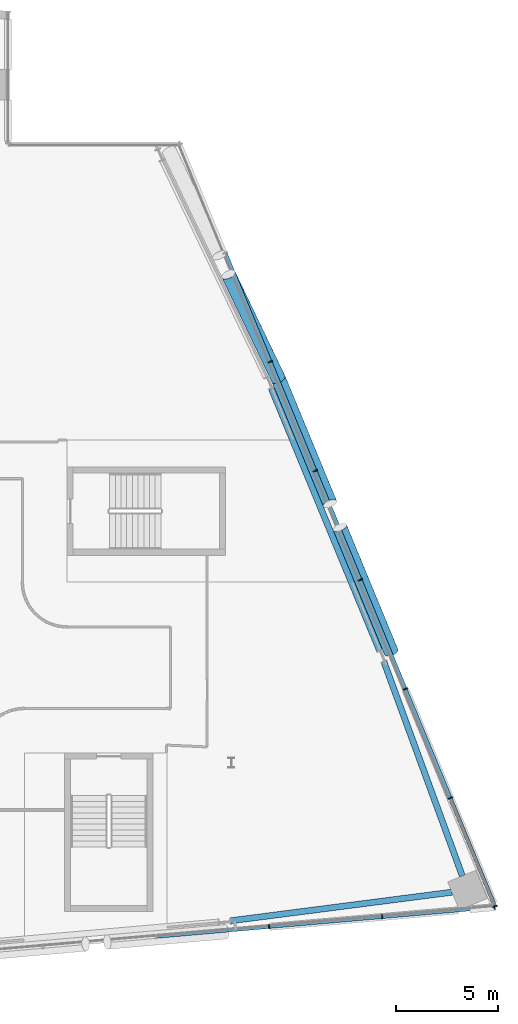
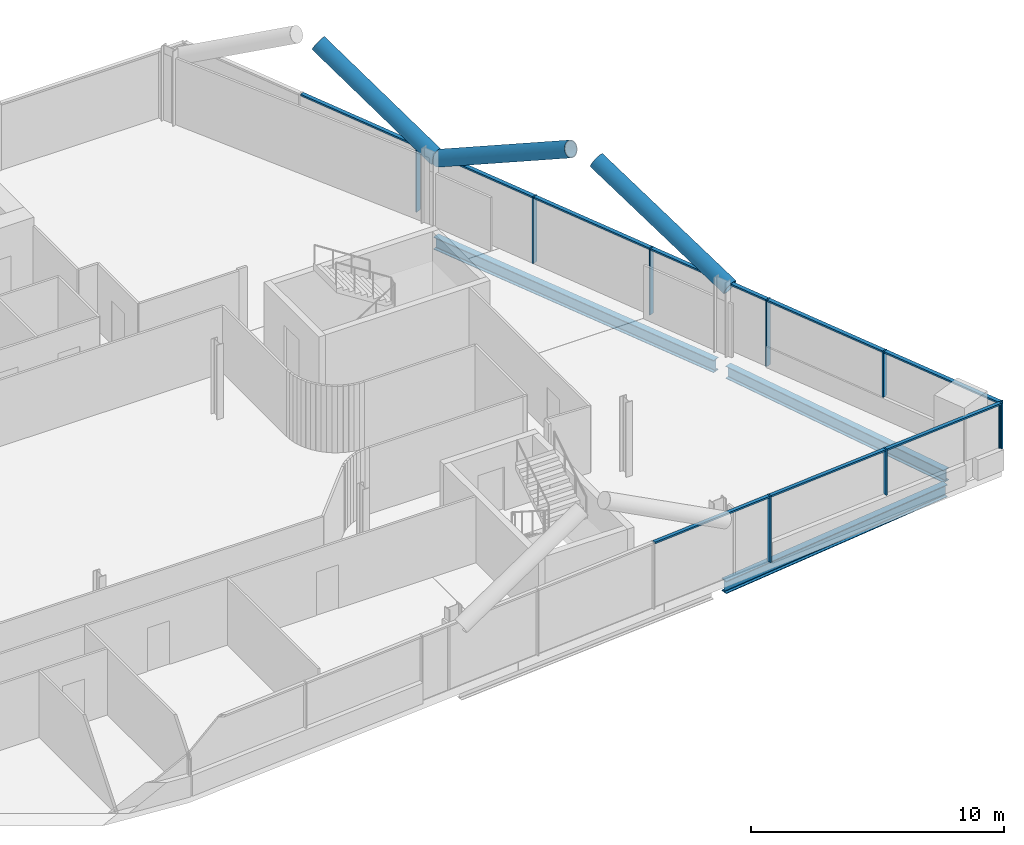
# One storey, part 11 of 29: 21 members, 3 beams, 2 elements without a shape of their own.
"""IFC4 building model written with IfcOpenShell, lengths in metres."""

import ifcopenshell
import ifcopenshell.guid

model = None  # the IFC model being written
_history = None  # IfcOwnerHistory: only IFC2X3 demands one
_inside = {}  # id of a spatial element -> (the spatial element, [elements in it])
_under = {}  # id of a project, library or spatial element -> (it, [spatial elements below it])
_declared = {}  # id of a project -> (the project, [libraries it declares])
_typed = {}  # id of a type object -> (the type object, [elements of that type])
_made_of = {}  # id of a material, layer set ... -> (it, [elements and type objects made of it])


def new_model(schema):
    """Start an empty IFC model of exactly this schema.

    Asked for "IFC4X3", IfcOpenShell would pick the latest addendum, in which some entities
    have other attributes; the version numbers below select the first issue.
    IFC2X3 requires an IfcOwnerHistory on every rooted entity: one is made here for all.
    """
    global model, _history
    if schema == "IFC4X3":
        model = ifcopenshell.file(schema_version=(4, 3, 0, 0))
    else:
        model = ifcopenshell.file(schema=schema)
    _inside.clear()
    _under.clear()
    _declared.clear()
    _typed.clear()
    _made_of.clear()
    _history = None
    if model.schema == "IFC2X3":
        org = make("IfcOrganization", Name="unknown")
        user = make(
            "IfcPersonAndOrganization",
            ThePerson=make("IfcPerson", FamilyName="unknown"),
            TheOrganization=org,
        )
        app = make(
            "IfcApplication",
            ApplicationDeveloper=org,
            Version="unknown",
            ApplicationFullName="unknown",
            ApplicationIdentifier="unknown",
        )
        _history = make(
            "IfcOwnerHistory",
            OwningUser=user,
            OwningApplication=app,
            ChangeAction="ADDED",
            CreationDate=0,
        )
    return model


def make(cls, **values):
    """One entity of the class cls with the attributes given. An attribute that is None is left unset."""
    return model.create_entity(
        cls, **{name: value for name, value in values.items() if value is not None}
    )


def rooted(cls, **values):
    """An entity with a GlobalId (a new one), such as an element, a storey or a relation."""
    return make(cls, GlobalId=ifcopenshell.guid.new(), OwnerHistory=_history, **values)


def si_unit(unit_type, name, prefix=None):
    """IfcSIUnit, for example si_unit("LENGTHUNIT", "METRE", prefix="MILLI")."""
    return make("IfcSIUnit", UnitType=unit_type, Prefix=prefix, Name=name)


def assignment(units):
    """IfcUnitAssignment: the units of a project."""
    return None if units is None else make("IfcUnitAssignment", Units=units)


def point(xyz):
    """IfcCartesianPoint."""
    return None if xyz is None else make("IfcCartesianPoint", Coordinates=xyz)


def direction(xyz):
    """IfcDirection."""
    return None if xyz is None else make("IfcDirection", DirectionRatios=xyz)


def frame(location, z_axis=None, x_axis=None):
    """IfcAxis2Placement3D, a coordinate frame: its origin and axes. An axis left out is left unset."""
    return make(
        "IfcAxis2Placement3D",
        Location=point(location),
        Axis=direction(z_axis),
        RefDirection=direction(x_axis),
    )


def frame_2d(location, x_axis=None):
    """IfcAxis2Placement2D, a coordinate frame in the plane: its origin and x axis."""
    return make(
        "IfcAxis2Placement2D", Location=point(location), RefDirection=direction(x_axis)
    )


def origin():
    """The frame at (0, 0, 0) with its axes left unset."""
    return frame((0.0, 0.0, 0.0))


def origin_2d():
    """The frame at (0, 0) in the plane with its x axis left unset."""
    return frame_2d((0.0, 0.0))


def place(relative_to, where):
    """IfcLocalPlacement: puts the frame where relative to a parent placement (None: the world)."""
    return make(
        "IfcLocalPlacement", PlacementRelTo=relative_to, RelativePlacement=where
    )


def context(
    kind, dimensions, precision=None, world=None, true_north=None, identifier=None
):
    """IfcGeometricRepresentationContext, for example the 3D "Model" context."""
    return make(
        "IfcGeometricRepresentationContext",
        ContextIdentifier=identifier,
        ContextType=kind,
        CoordinateSpaceDimension=dimensions,
        Precision=precision,
        WorldCoordinateSystem=world,
        TrueNorth=true_north,
    )


def subcontext(parent, identifier, kind, view, scale=None):
    """IfcGeometricRepresentationSubContext, for example "Body" below "Model"."""
    return make(
        "IfcGeometricRepresentationSubContext",
        ContextIdentifier=identifier,
        ContextType=kind,
        ParentContext=parent,
        TargetScale=scale,
        TargetView=view,
    )


def project(units=None, contexts=None):
    """IfcProject with its units and contexts."""
    return rooted(
        "IfcProject",
        Name="project",
        RepresentationContexts=contexts,
        UnitsInContext=assignment(units),
    )


def spatial(cls, under=None, at=None, **own):
    """A site, building, storey or space (cls), placed at a placement, below another one or the project."""
    s = rooted(cls, ObjectPlacement=at, **own)
    if under is not None:
        _under.setdefault(under.id(), (under, []))[1].append(s)
    return s


def profile(cls, at=None, kind="AREA", **sizes):
    """A parametric profile (cls). Its sizes go by their IFC names, for example OverallWidth=200.0."""
    return make(cls, ProfileType=kind, Position=at, **sizes)


def rectangle(**sizes):
    """IfcRectangleProfileDef."""
    return profile("IfcRectangleProfileDef", **sizes)


def hollow_circle(**sizes):
    """IfcCircleHollowProfileDef."""
    return profile("IfcCircleHollowProfileDef", **sizes)


def i_section(**sizes):
    """IfcIShapeProfileDef."""
    return profile("IfcIShapeProfileDef", **sizes)


def extrude(swept, where, along, depth):
    """IfcExtrudedAreaSolid: the profile swept, set in the frame where, extruded along a direction by depth."""
    return make(
        "IfcExtrudedAreaSolid",
        SweptArea=swept,
        Position=where,
        ExtrudedDirection=direction(along),
        Depth=depth,
    )


def shape(context_of_items, identifier, shape_type, items):
    """IfcShapeRepresentation: the items that make up one representation, for example the "Body"."""
    return make(
        "IfcShapeRepresentation",
        ContextOfItems=context_of_items,
        RepresentationIdentifier=identifier,
        RepresentationType=shape_type,
        Items=items,
    )


def material(Name=None, Category=None):
    """IfcMaterial."""
    return make("IfcMaterial", Name=Name, Category=Category)


def material_profile(
    of_material, cross_section, Name=None, Category=None, Priority=None
):
    """IfcMaterialProfile: a cross section and its material."""
    return make(
        "IfcMaterialProfile",
        Name=Name,
        Material=of_material,
        Profile=cross_section,
        Priority=Priority,
        Category=Category,
    )


def profile_set(profiles, Name=None, composite=None):
    """IfcMaterialProfileSet."""
    return make(
        "IfcMaterialProfileSet",
        Name=Name,
        MaterialProfiles=profiles,
        CompositeProfile=composite,
    )


def made_of(thing, what):
    """Note that an element or type object is made of a material, layer set ...; save() writes the relation."""
    if what is not None:
        _made_of.setdefault(what.id(), (what, []))[1].append(thing)
    return thing


def type_object(cls, material=None, **own):
    """A type object (cls), such as IfcWallType, which elements share."""
    return made_of(rooted(cls, **own), material)


def element(
    cls,
    number,
    at=None,
    inside=None,
    cuts=None,
    type_object=None,
    material=None,
    context=None,
    identifier="Body",
    shape_type=None,
    held_by="IfcProductDefinitionShape",
    body=None,
    shapes=None,
    **own,
):
    """One element of the class cls, such as IfcWall. Its Tag is "e" and its number.

    at: its placement. inside: the storey or other place that contains it. cuts: it is an
    opening in that element (IfcRelVoidsElement). A single representation is given by context,
    identifier, shape_type and body (its items); several are given by shapes. held_by: the class
    of the entity that holds the representations. save() writes the other relations.
    """
    e = rooted(cls, Tag="e%d" % number, ObjectPlacement=at, **own)
    if body is not None:
        shapes = [shape(context, identifier, shape_type, body)]
    if shapes is not None:
        e.Representation = make(held_by, Representations=shapes)
    if inside is not None:
        _inside.setdefault(inside.id(), (inside, []))[1].append(e)
    if cuts is not None:
        rooted(
            "IfcRelVoidsElement", RelatingBuildingElement=cuts, RelatedOpeningElement=e
        )
    if type_object is not None:
        _typed.setdefault(type_object.id(), (type_object, []))[1].append(e)
    return made_of(e, material)


def aggregate(whole, parts):
    """IfcRelAggregates: a whole, such as a stair, and the parts it consists of."""
    return rooted("IfcRelAggregates", RelatingObject=whole, RelatedObjects=parts)


def save(model, path):
    """Write the relations noted so far, then the file.

    IfcRelAggregates (storeys below a building ...), IfcRelContainedInSpatialStructure (elements
    in a storey), IfcRelDefinesByType, IfcRelAssociatesMaterial and IfcRelDeclares: one each for
    every whole, place, type object, material and project.
    """
    for whole, parts in _under.values():
        aggregate(whole, parts)
    for where, things in _inside.values():
        rooted(
            "IfcRelContainedInSpatialStructure",
            RelatedElements=things,
            RelatingStructure=where,
        )
    for kind, things in _typed.values():
        rooted("IfcRelDefinesByType", RelatedObjects=things, RelatingType=kind)
    for what, things in _made_of.values():
        rooted("IfcRelAssociatesMaterial", RelatedObjects=things, RelatingMaterial=what)
    for by, libraries in _declared.values():
        rooted("IfcRelDeclares", RelatingContext=by, RelatedDefinitions=libraries)
    model.write(path)


model = new_model("IFC4")

# Units and contexts
model_context = context("Model", 3, precision=1e-05, world=origin(), true_north=direction((0.0, 1.0)))
body_context = subcontext(model_context, "Body", "Model", "MODEL_VIEW")
ifc_project = project(units=[si_unit("LENGTHUNIT", "METRE"), si_unit("AREAUNIT", "SQUARE_METRE"), si_unit("VOLUMEUNIT", "CUBIC_METRE"), si_unit("PLANEANGLEUNIT", "RADIAN"), si_unit("MASSUNIT", "GRAM", prefix="KILO")], contexts=[model_context])

# Site, building, storey
site_placement = place(None, origin())
site = spatial("IfcSite", under=ifc_project, at=site_placement, CompositionType="ELEMENT")
building_placement = place(site_placement, origin())
building = spatial("IfcBuilding", under=site, at=building_placement, Name="Wharfspan Tower", CompositionType="ELEMENT")
storey_placement = place(building_placement, frame((0.0, 0.0, 162.699951)))
storey = spatial("IfcBuildingStorey", under=building, at=storey_placement, Name="L39", CompositionType="ELEMENT", Elevation=162.699951)

# Beams
ifc_material_1 = material(Name="Steel S355J2", Category="steel")
ifc_material_profile_1 = material_profile(ifc_material_1, i_section(OverallWidth=0.300049, OverallDepth=0.600098, WebThickness=0.015381, FlangeThickness=0.030029, FilletRadius=0.0271, at=origin_2d()))
ifc_profile_set_1 = profile_set([ifc_material_profile_1], Name="Steel S355J2")
beam_type = type_object("IfcBeamType", Name="Edge beam HEB 600", PredefinedType="SPANDREL", material=ifc_profile_set_1)
beam_1_placement = place(storey_placement, frame((71.965576, 3.724121, -0.699951), z_axis=(0.991764, 0.128077, 0.0), x_axis=(-0.128077, 0.991764, 0.0)))
element("IfcBeam", 1, at=beam_1_placement, inside=storey, type_object=beam_type, Name="Edge beam S2 L39 PS2.2 to MC4", PredefinedType="SPANDREL", context=body_context, shape_type="SweptSolid", body=[
    extrude(i_section(OverallWidth=0.300049, OverallDepth=0.600098, WebThickness=0.015381, FlangeThickness=0.030029, FilletRadius=0.0271, at=origin_2d()), origin(), (0.0, 0.0, 1.0), 10.991211),
])
beam_2_placement = place(storey_placement, frame((83.375732, 5.931885, -0.699951), z_axis=(-0.343871, 0.939017, 0.0), x_axis=(-0.939017, -0.343871, 0.0)))
element("IfcBeam", 2, at=beam_2_placement, inside=storey, type_object=beam_type, Name="Edge beam E L39 MC4 to PE.1", PredefinedType="SPANDREL", context=body_context, shape_type="SweptSolid", body=[
    extrude(i_section(OverallWidth=0.300049, OverallDepth=0.600098, WebThickness=0.015381, FlangeThickness=0.030029, FilletRadius=0.0271, at=origin_2d()), origin(), (0.0, 0.0, 1.0), 11.226807),
])
beam_3_placement = place(storey_placement, frame((79.292969, 17.044434, -0.699951), z_axis=(-0.381593, 0.92433, 0.0), x_axis=(-0.92433, -0.381593, 0.0)))
element("IfcBeam", 3, at=beam_3_placement, inside=storey, type_object=beam_type, Name="Edge beam E L39 PE.1 to PE.2", PredefinedType="SPANDREL", context=body_context, shape_type="SweptSolid", body=[
    extrude(i_section(OverallWidth=0.300049, OverallDepth=0.600098, WebThickness=0.015381, FlangeThickness=0.030029, FilletRadius=0.0271, at=origin_2d()), origin(), (0.0, 0.0, 1.0), 13.94751),
])

# Curtain wall, members
ifc_material_2 = material(Name="Aluminium 6063-T6", Category="aluminium")
curtain_wall_type_1 = type_object("IfcCurtainWallType", Name="CURTAIN WALL FACETED FRONT", PredefinedType="NOTDEFINED", material=ifc_material_2)
curtain_wall_1_placement = place(storey_placement, origin())
curtain_wall_1 = element("IfcCurtainWall", 4, at=curtain_wall_1_placement, inside=storey, type_object=curtain_wall_type_1, Name="Curtain wall S2", PredefinedType="NOTDEFINED")
ifc_material_profile_2 = material_profile(ifc_material_2, rectangle(XDim=0.199951, YDim=0.060059, at=origin_2d()))
ifc_profile_set_2 = profile_set([ifc_material_profile_2], Name="Aluminium 6063-T6")
member_type_1 = type_object("IfcMemberType", Name="MULLION FACETED FRONT 60x200", PredefinedType="MULLION", material=ifc_profile_set_2)
member_1_placement = place(storey_placement, frame((73.857178, 3.425049, 0.0), z_axis=(0.0, 0.0, 1.0), x_axis=(-0.087156, 0.996198, 0.0)))
member_1 = element("IfcMember", 5, at=member_1_placement, type_object=member_type_1, Name="Curtain wall S2 mullion 6", PredefinedType="MULLION", context=body_context, shape_type="SweptSolid", body=[
    extrude(rectangle(XDim=0.199951, YDim=0.060059, at=origin_2d()), origin(), (0.0, 0.0, 1.0), 3.199951),
])
member_2_placement = place(storey_placement, frame((79.428467, 3.912598, 1.0), z_axis=(0.0, 0.0, 1.0), x_axis=(-0.087156, 0.996198, 0.0)))
member_2 = element("IfcMember", 6, at=member_2_placement, type_object=member_type_1, Name="Curtain wall S2 mullion 7", PredefinedType="MULLION", context=body_context, shape_type="SweptSolid", body=[
    extrude(rectangle(XDim=0.199951, YDim=0.060059, at=origin_2d()), origin(), (0.0, 0.0, 1.0), 2.199951),
])
member_3_placement = place(storey_placement, frame((84.970215, 4.397461, 1.0), z_axis=(0.0, 0.0, 1.0), x_axis=(-0.087156, 0.996198, 0.0)))
member_3 = element("IfcMember", 7, at=member_3_placement, type_object=member_type_1, Name="Curtain wall S2 mullion 8", PredefinedType="MULLION", context=body_context, shape_type="SweptSolid", body=[
    extrude(rectangle(XDim=0.199951, YDim=0.060059, at=origin_2d()), origin(), (0.0, 0.0, 1.0), 2.199951),
])

curtain_wall_type_2 = type_object("IfcCurtainWallType", Name="CURTAIN WALL PROW AND END", PredefinedType="NOTDEFINED", material=ifc_material_2)
curtain_wall_2_placement = place(storey_placement, origin())
curtain_wall_2 = element("IfcCurtainWall", 8, at=curtain_wall_2_placement, inside=storey, type_object=curtain_wall_type_2, Name="Curtain wall E", PredefinedType="NOTDEFINED")
ifc_material_profile_3 = material_profile(ifc_material_2, rectangle(XDim=0.23999, YDim=0.060059, at=origin_2d()))
ifc_profile_set_3 = profile_set([ifc_material_profile_3], Name="Aluminium 6063-T6")
member_type_2 = type_object("IfcMemberType", Name="MULLION PROW AND END 60x240", PredefinedType="MULLION", material=ifc_profile_set_3)
member_4_placement = place(storey_placement, frame((84.988525, 4.427734, 1.0), z_axis=(0.0, 0.0, 1.0), x_axis=(-0.924325, -0.381602, 0.0)))
member_4 = element("IfcMember", 9, at=member_4_placement, type_object=member_type_2, Name="Curtain wall E mullion 1", PredefinedType="MULLION", context=body_context, shape_type="SweptSolid", body=[
    extrude(rectangle(XDim=0.23999, YDim=0.060059, at=origin_2d()), origin(), (0.0, 0.0, 1.0), 2.199951),
])
member_5_placement = place(storey_placement, frame((82.782471, 9.771484, 1.0), z_axis=(0.0, 0.0, 1.0), x_axis=(-0.924325, -0.381602, 0.0)))
member_5 = element("IfcMember", 10, at=member_5_placement, type_object=member_type_2, Name="Curtain wall E mullion 2", PredefinedType="MULLION", context=body_context, shape_type="SweptSolid", body=[
    extrude(rectangle(XDim=0.23999, YDim=0.060059, at=origin_2d()), origin(), (0.0, 0.0, 1.0), 2.199951),
])
member_6_placement = place(storey_placement, frame((80.564941, 15.142822, 0.0), z_axis=(0.0, 0.0, 1.0), x_axis=(-0.924325, -0.381602, 0.0)))
member_6 = element("IfcMember", 11, at=member_6_placement, type_object=member_type_2, Name="Curtain wall E mullion 3", PredefinedType="MULLION", context=body_context, shape_type="SweptSolid", body=[
    extrude(rectangle(XDim=0.23999, YDim=0.060059, at=origin_2d()), origin(), (0.0, 0.0, 1.0), 3.199951),
])
member_7_placement = place(storey_placement, frame((78.347412, 20.514404, 0.0), z_axis=(0.0, 0.0, 1.0), x_axis=(-0.924325, -0.381602, 0.0)))
member_7 = element("IfcMember", 12, at=member_7_placement, type_object=member_type_2, Name="Curtain wall E mullion 4", PredefinedType="MULLION", context=body_context, shape_type="SweptSolid", body=[
    extrude(rectangle(XDim=0.23999, YDim=0.060059, at=origin_2d()), origin(), (0.0, 0.0, 1.0), 3.199951),
])
member_8_placement = place(storey_placement, frame((76.129639, 25.885742, 0.0), z_axis=(0.0, 0.0, 1.0), x_axis=(-0.924325, -0.381602, 0.0)))
member_8 = element("IfcMember", 13, at=member_8_placement, type_object=member_type_2, Name="Curtain wall E mullion 5", PredefinedType="MULLION", context=body_context, shape_type="SweptSolid", body=[
    extrude(rectangle(XDim=0.23999, YDim=0.060059, at=origin_2d()), origin(), (0.0, 0.0, 1.0), 3.199951),
])
member_9_placement = place(storey_placement, frame((73.912109, 31.25708, 0.0), z_axis=(0.0, 0.0, 1.0), x_axis=(-0.924325, -0.381602, 0.0)))
member_9 = element("IfcMember", 14, at=member_9_placement, type_object=member_type_2, Name="Curtain wall E mullion 6", PredefinedType="MULLION", context=body_context, shape_type="SweptSolid", body=[
    extrude(rectangle(XDim=0.23999, YDim=0.060059, at=origin_2d()), origin(), (0.0, 0.0, 1.0), 3.199951),
])

# Members
ifc_material_3 = material(Name="Steel S460NH", Category="steel")
ifc_material_profile_4 = material_profile(ifc_material_3, hollow_circle(Radius=0.355469, WallThickness=0.035889, at=origin_2d()))
ifc_profile_set_4 = profile_set([ifc_material_profile_4], Name="Steel S460NH")
member_type_3 = type_object("IfcMemberType", Name="Mega brace CHS 711x36", PredefinedType="BRACE", material=ifc_profile_set_4)
for number, where, z_axis, x_axis, name in (
    (15, (79.876465, 16.954346, 2.900146), (-0.342045, 0.828562, 0.443271), (-0.924337, -0.381581, -3e-06), "Mega brace E5 L40 part 1"),
    (16, (74.320557, 30.411865, 2.900146), (0.342084, -0.828543, 0.443278), (0.924317, 0.381625, -3e-06), "Mega brace E5 L40 part 3"),
):
    element("IfcMember", number, at=place(storey_placement, frame(where, z_axis=z_axis, x_axis=x_axis)), inside=storey, type_object=member_type_3, Name=name, PredefinedType="BRACE", context=body_context, shape_type="SweptSolid", body=[
        extrude(hollow_circle(Radius=0.355469, WallThickness=0.035889, at=origin_2d()), origin(), (0.0, 0.0, 1.0), 7.406738),
    ])
member_10_placement = place(storey_placement, frame((74.320557, 30.411865, 2.900146), z_axis=(-0.374119, 0.780731, 0.500494), x_axis=(-0.90181, -0.432137, -3e-06)))
element("IfcMember", 17, at=member_10_placement, inside=storey, type_object=member_type_3, Name="Mega brace E6 L40 part 1", PredefinedType="BRACE", context=body_context, shape_type="SweptSolid", body=[
    extrude(hollow_circle(Radius=0.355469, WallThickness=0.035889, at=origin_2d()), origin(), (0.0, 0.0, 1.0), 6.581787),
])

# Member
ifc_material_profile_5 = material_profile(ifc_material_2, rectangle(XDim=0.159912, YDim=0.080078, at=origin_2d()))
ifc_profile_set_5 = profile_set([ifc_material_profile_5], Name="Aluminium 6063-T6")
member_type_4 = type_object("IfcMemberType", Name="TRANSOM FACETED FRONT 80x160", PredefinedType="USERDEFINED", material=ifc_profile_set_5)
member_11_placement = place(storey_placement, frame((68.315674, 2.940186, 3.160156), z_axis=(0.996191, 0.087197, 0.0), x_axis=(-0.087197, 0.996191, 0.0)))
member_11 = element("IfcMember", 18, at=member_11_placement, type_object=member_type_4, Name="Curtain wall S2 transom 5", ObjectType="TRANSOM", PredefinedType="USERDEFINED", context=body_context, shape_type="SweptSolid", body=[
    extrude(rectangle(XDim=0.159912, YDim=0.080078, at=origin_2d()), origin(), (0.0, 0.0, 1.0), 5.532471),
])

member_12_placement = place(storey_placement, frame((73.886963, 3.427734, 3.160156), z_axis=(0.996195, 0.087149, 0.0), x_axis=(-0.087149, 0.996195, 0.0)))
member_12 = element("IfcMember", 19, at=member_12_placement, type_object=member_type_4, Name="Curtain wall S2 transom 6", ObjectType="TRANSOM", PredefinedType="USERDEFINED", context=body_context, shape_type="SweptSolid", body=[
    extrude(rectangle(XDim=0.159912, YDim=0.080078, at=origin_2d()), origin(), (0.0, 0.0, 1.0), 5.532715),
])

member_13_placement = place(storey_placement, frame((79.458496, 3.915283, 3.160156), z_axis=(0.996196, 0.087139, 0.0), x_axis=(-0.087139, 0.996196, 0.0)))
member_13 = element("IfcMember", 20, at=member_13_placement, type_object=member_type_4, Name="Curtain wall S2 transom 7", ObjectType="TRANSOM", PredefinedType="USERDEFINED", context=body_context, shape_type="SweptSolid", body=[
    extrude(rectangle(XDim=0.159912, YDim=0.080078, at=origin_2d()), origin(), (0.0, 0.0, 1.0), 5.502686),
])

aggregate(curtain_wall_1, [member_1, member_2, member_3, member_11, member_12, member_13])

ifc_material_profile_6 = material_profile(ifc_material_2, rectangle(XDim=0.179932, YDim=0.080078, at=origin_2d()))
ifc_profile_set_6 = profile_set([ifc_material_profile_6], Name="Aluminium 6063-T6")
member_type_5 = type_object("IfcMemberType", Name="TRANSOM PROW AND END 80x180", PredefinedType="USERDEFINED", material=ifc_profile_set_6)
member_14_placement = place(storey_placement, frame((84.977051, 4.455566, 3.160156), z_axis=(-0.381595, 0.924329, 0.0), x_axis=(-0.924329, -0.381595, 0.0)))
member_14 = element("IfcMember", 21, at=member_14_placement, type_object=member_type_5, Name="Curtain wall E transom 1", ObjectType="TRANSOM", PredefinedType="USERDEFINED", context=body_context, shape_type="SweptSolid", body=[
    extrude(rectangle(XDim=0.179932, YDim=0.080078, at=origin_2d()), origin(), (0.0, 0.0, 1.0), 5.720947),
])

member_15_placement = place(storey_placement, frame((82.770996, 9.799072, 3.160156), z_axis=(-0.381578, 0.924337, 0.0), x_axis=(-0.924337, -0.381578, 0.0)))
member_15 = element("IfcMember", 22, at=member_15_placement, type_object=member_type_5, Name="Curtain wall E transom 2", ObjectType="TRANSOM", PredefinedType="USERDEFINED", context=body_context, shape_type="SweptSolid", body=[
    extrude(rectangle(XDim=0.179932, YDim=0.080078, at=origin_2d()), origin(), (0.0, 0.0, 1.0), 5.751221),
])

member_16_placement = place(storey_placement, frame((80.553467, 15.170654, 3.160156), z_axis=(-0.381629, 0.924315, 0.0), x_axis=(-0.924315, -0.381629, 0.0)))
member_16 = element("IfcMember", 23, at=member_16_placement, type_object=member_type_5, Name="Curtain wall E transom 3", ObjectType="TRANSOM", PredefinedType="USERDEFINED", context=body_context, shape_type="SweptSolid", body=[
    extrude(rectangle(XDim=0.179932, YDim=0.080078, at=origin_2d()), origin(), (0.0, 0.0, 1.0), 5.751221),
])

member_17_placement = place(storey_placement, frame((78.335938, 20.541992, 3.160156), z_axis=(-0.381629, 0.924315, 0.0), x_axis=(-0.924315, -0.381629, 0.0)))
member_17 = element("IfcMember", 24, at=member_17_placement, type_object=member_type_5, Name="Curtain wall E transom 4", ObjectType="TRANSOM", PredefinedType="USERDEFINED", context=body_context, shape_type="SweptSolid", body=[
    extrude(rectangle(XDim=0.179932, YDim=0.080078, at=origin_2d()), origin(), (0.0, 0.0, 1.0), 5.751221),
])

member_18_placement = place(storey_placement, frame((76.118408, 25.91333, 3.160156), z_axis=(-0.381614, 0.924322, 0.0), x_axis=(-0.924322, -0.381614, 0.0)))
member_18 = element("IfcMember", 25, at=member_18_placement, type_object=member_type_5, Name="Curtain wall E transom 5", ObjectType="TRANSOM", PredefinedType="USERDEFINED", context=body_context, shape_type="SweptSolid", body=[
    extrude(rectangle(XDim=0.179932, YDim=0.080078, at=origin_2d()), origin(), (0.0, 0.0, 1.0), 5.751465),
])

member_19_placement = place(storey_placement, frame((73.900635, 31.284912, 3.160156), z_axis=(-0.381593, 0.92433, 0.0), x_axis=(-0.92433, -0.381593, 0.0)))
member_19 = element("IfcMember", 26, at=member_19_placement, type_object=member_type_5, Name="Curtain wall E transom 6", ObjectType="TRANSOM", PredefinedType="USERDEFINED", context=body_context, shape_type="SweptSolid", body=[
    extrude(rectangle(XDim=0.179932, YDim=0.080078, at=origin_2d()), origin(), (0.0, 0.0, 1.0), 5.751221),
])

aggregate(curtain_wall_2, [member_4, member_5, member_6, member_7, member_8, member_9, member_14, member_15, member_16, member_17, member_18, member_19])

save(model, "model.ifc")
